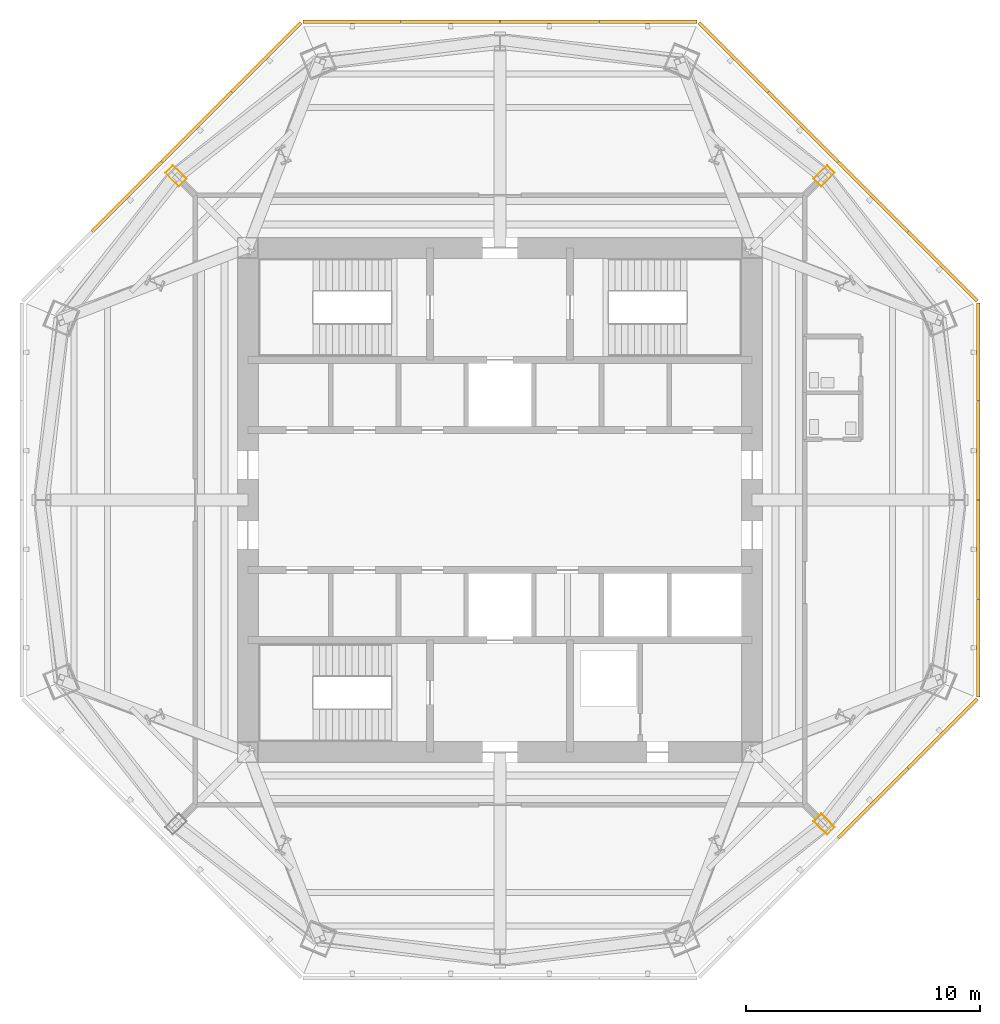
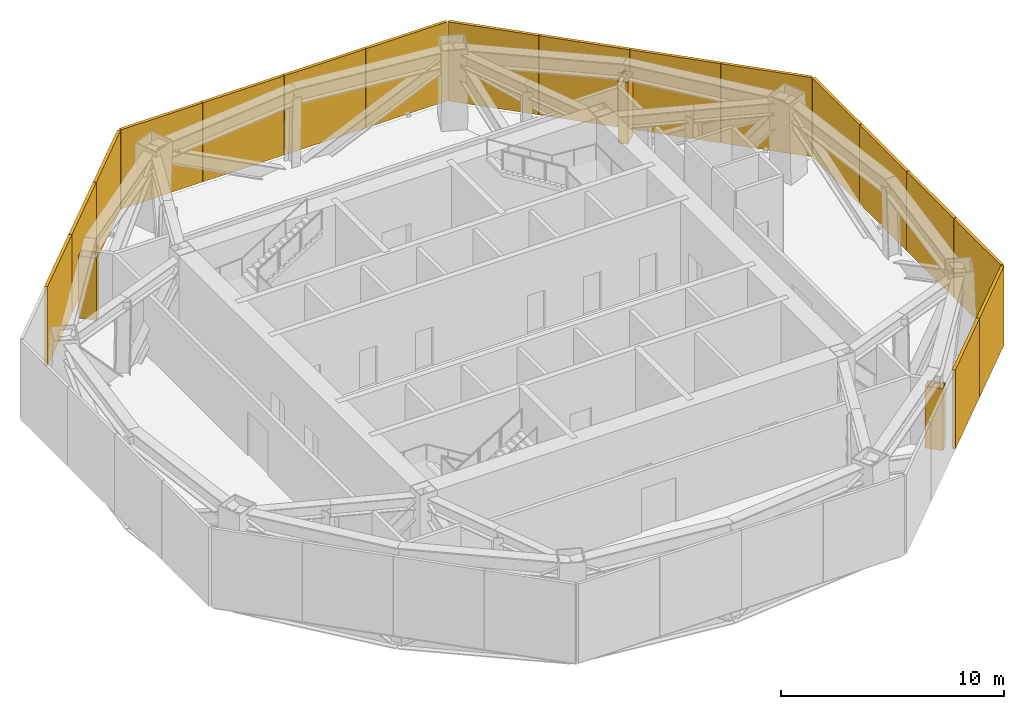
# One storey, part 8 of 9: 17 shading devices, 3 coverings.
"""IFC4 building model written with IfcOpenShell, lengths in metres."""

from ifc_helpers import new_model, si_unit, direction, frame, origin, origin_2d, place, context, subcontext, project, spatial, polyline, rectangle, outline, extrude, source, transform, mapped, material, layer, layer_set, type_object, type_shapes, element, save


model = new_model("IFC4")

# Units and contexts
model_context = context("Model", 3, precision=1e-05, world=origin(), true_north=direction((0.0, 1.0)))
body_context = subcontext(model_context, "Body", "Model", "MODEL_VIEW")
ifc_project = project(units=[si_unit("LENGTHUNIT", "METRE"), si_unit("AREAUNIT", "SQUARE_METRE"), si_unit("VOLUMEUNIT", "CUBIC_METRE"), si_unit("PLANEANGLEUNIT", "RADIAN"), si_unit("MASSUNIT", "GRAM", prefix="KILO")], contexts=[model_context])

# Site, building, storey
site_placement = place(None, origin())
site = spatial("IfcSite", under=ifc_project, at=site_placement, CompositionType="ELEMENT")
building_placement = place(site_placement, origin())
building = spatial("IfcBuilding", under=site, at=building_placement, Name="Mashrafa Tower", CompositionType="ELEMENT")
storey_placement = place(building_placement, frame((0.0, 0.0, 266.300048828125)))
storey = spatial("IfcBuildingStorey", under=building, at=storey_placement, Name="L64", CompositionType="ELEMENT", Elevation=266.300048828125)

# Coverings
ifc_material_1 = material(Name="Gypsum board")
ifc_layer_1 = layer(ifc_material_1, 0.014892578125)
ifc_layer_set_1 = layer_set([ifc_layer_1], Name="Column casing plasterboard 15")
covering_type = type_object("IfcCoveringType", Name="Column casing plasterboard 15", PredefinedType="CLADDING", material=ifc_layer_set_1)
covering_1_placement = place(storey_placement, origin())
element("IfcCovering", 1, at=covering_1_placement, inside=storey, type_object=covering_type, Name="Column casing L64-001", PredefinedType="CLADDING", context=body_context, shape_type="SweptSolid", body=[
    extrude(outline(polyline([(13.412109375, 13.75146484375), (14.00537109375, 14.3447265625), (14.3447265625, 14.00537109375), (13.75146484375, 13.412109375), (13.412109375, 13.75146484375)]), holes=[polyline([(14.323486328125, 14.00537109375), (14.00537109375, 14.323486328125), (13.43310546875, 13.75146484375), (13.75146484375, 13.43310546875), (14.323486328125, 14.00537109375)])]), origin(), (0.0, 0.0, 1.0), 3.389892578125),
])
covering_2_placement = place(storey_placement, origin())
element("IfcCovering", 2, at=covering_2_placement, inside=storey, type_object=covering_type, Name="Column casing L64-002", PredefinedType="CLADDING", context=body_context, shape_type="SweptSolid", body=[
    extrude(outline(polyline([(-14.3447265625, 14.00537109375), (-14.00537109375, 14.3447265625), (-13.412109375, 13.75146484375), (-13.75146484375, 13.412109375), (-14.3447265625, 14.00537109375)]), holes=[polyline([(-13.43310546875, 13.75146484375), (-14.00537109375, 14.323486328125), (-14.323486328125, 14.00537109375), (-13.75146484375, 13.43310546875), (-13.43310546875, 13.75146484375)])]), origin(), (0.0, 0.0, 1.0), 3.389892578125),
])
covering_3_placement = place(storey_placement, origin())
element("IfcCovering", 3, at=covering_3_placement, inside=storey, type_object=covering_type, Name="Column casing L64-004", PredefinedType="CLADDING", context=body_context, shape_type="SweptSolid", body=[
    extrude(outline(polyline([(13.412109375, -13.75146484375), (13.75146484375, -13.412109375), (14.3447265625, -14.00537109375), (14.00537109375, -14.3447265625), (13.412109375, -13.75146484375)]), holes=[polyline([(14.323486328125, -14.00537109375), (13.75146484375, -13.43310546875), (13.43310546875, -13.75146484375), (14.00537109375, -14.323486328125), (14.323486328125, -14.00537109375)])]), origin(), (0.0, 0.0, 1.0), 3.389892578125),
])

# Shading devices
ifc_material_2 = material(Name="Extruded aluminium weather louvre", Category="aluminium")
ifc_layer_2 = layer(ifc_material_2, 0.14990234375)
ifc_layer_set_2 = layer_set([ifc_layer_2], Name="Plant louvre screen 150")
shading_device_type = type_object("IfcShadingDeviceType", Name="Plant louvre screen 150", PredefinedType="SHUTTER", material=ifc_layer_set_2)
shared_shape = source(origin(), body_context, "Body", "SweptSolid", [
    extrude(rectangle(XDim=4.201416015625, YDim=0.14990234375, at=origin_2d()), origin(), (0.0, 0.0, 1.0), 4.330078125),
])
type_shapes(shading_device_type, [shared_shape])
for number, where, z_axis, x_axis, name in (
    (4, (20.4814453125, -6.33203125, 0.0), (0.0, 0.0, 1.0), (0.0, 1.0, 0.0), "Plant louvre screen L64 east 1"),
    (5, (20.4814453125, -2.110595703125, 0.0), (0.0, 0.0, 1.0), (0.0, 1.0, 0.0), "Plant louvre screen L64 east 2"),
    (6, (20.4814453125, 2.110595703125, 0.0), (0.0, 0.0, 1.0), (0.0, 1.0, 0.0), "Plant louvre screen L64 east 3"),
    (7, (20.4814453125, 6.33203125, 0.0), (0.0, 0.0, 1.0), (0.0, 1.0, 0.0), "Plant louvre screen L64 east 4"),
    (8, (18.9599609375, 10.005126953125, 0.0), (0.0, 0.0, 1.0), (-0.707106781187, 0.707106781187, 0.0), "Plant louvre screen L64 north-east 1"),
    (9, (15.97509765625, 12.990234375, 0.0), (0.0, 0.0, 1.0), (-0.707106781187, 0.707106781187, 0.0), "Plant louvre screen L64 north-east 2"),
    (10, (12.990234375, 15.97509765625, 0.0), (0.0, 0.0, 1.0), (-0.707106781187, 0.707106781187, 0.0), "Plant louvre screen L64 north-east 3"),
    (11, (10.005126953125, 18.9599609375, 0.0), (0.0, 0.0, 1.0), (-0.707106781187, 0.707106781187, 0.0), "Plant louvre screen L64 north-east 4"),
    (12, (6.33203125, 20.4814453125, 0.0), (0.0, 0.0, 1.0), (-1.0, 0.0, 0.0), "Plant louvre screen L64 north 1"),
    (13, (2.110595703125, 20.4814453125, 0.0), (0.0, 0.0, 1.0), (-1.0, 0.0, 0.0), "Plant louvre screen L64 north 2"),
    (14, (-2.110595703125, 20.4814453125, 0.0), (0.0, 0.0, 1.0), (-1.0, 0.0, 0.0), "Plant louvre screen L64 north 3"),
    (15, (-6.33203125, 20.4814453125, 0.0), (0.0, 0.0, 1.0), (-1.0, 0.0, 0.0), "Plant louvre screen L64 north 4"),
    (16, (-10.005126953125, 18.9599609375, 0.0), (0.0, 0.0, 1.0), (-0.707106781187, -0.707106781187, 0.0), "Plant louvre screen L64 north-west 1"),
    (17, (-12.990234375, 15.97509765625, 0.0), (0.0, 0.0, 1.0), (-0.707106781187, -0.707106781187, 0.0), "Plant louvre screen L64 north-west 2"),
    (18, (-15.97509765625, 12.990234375, 0.0), (0.0, 0.0, 1.0), (-0.707106781187, -0.707106781187, 0.0), "Plant louvre screen L64 north-west 3"),
    (19, (15.97509765625, -12.990234375, 0.0), (0.0, 0.0, 1.0), (0.707106781187, 0.707106781187, 0.0), "Plant louvre screen L64 south-east 3"),
    (20, (18.9599609375, -10.005126953125, 0.0), (0.0, 0.0, 1.0), (0.707106781187, 0.707106781187, 0.0), "Plant louvre screen L64 south-east 4"),
):
    element("IfcShadingDevice", number, at=place(storey_placement, frame(where, z_axis=z_axis, x_axis=x_axis)), inside=storey, type_object=shading_device_type, Name=name, PredefinedType="SHUTTER", context=body_context, shape_type="MappedRepresentation", body=[
        mapped(shared_shape, transform((0.0, 0.0, 0.0))),
    ])

save(model, "model.ifc")
